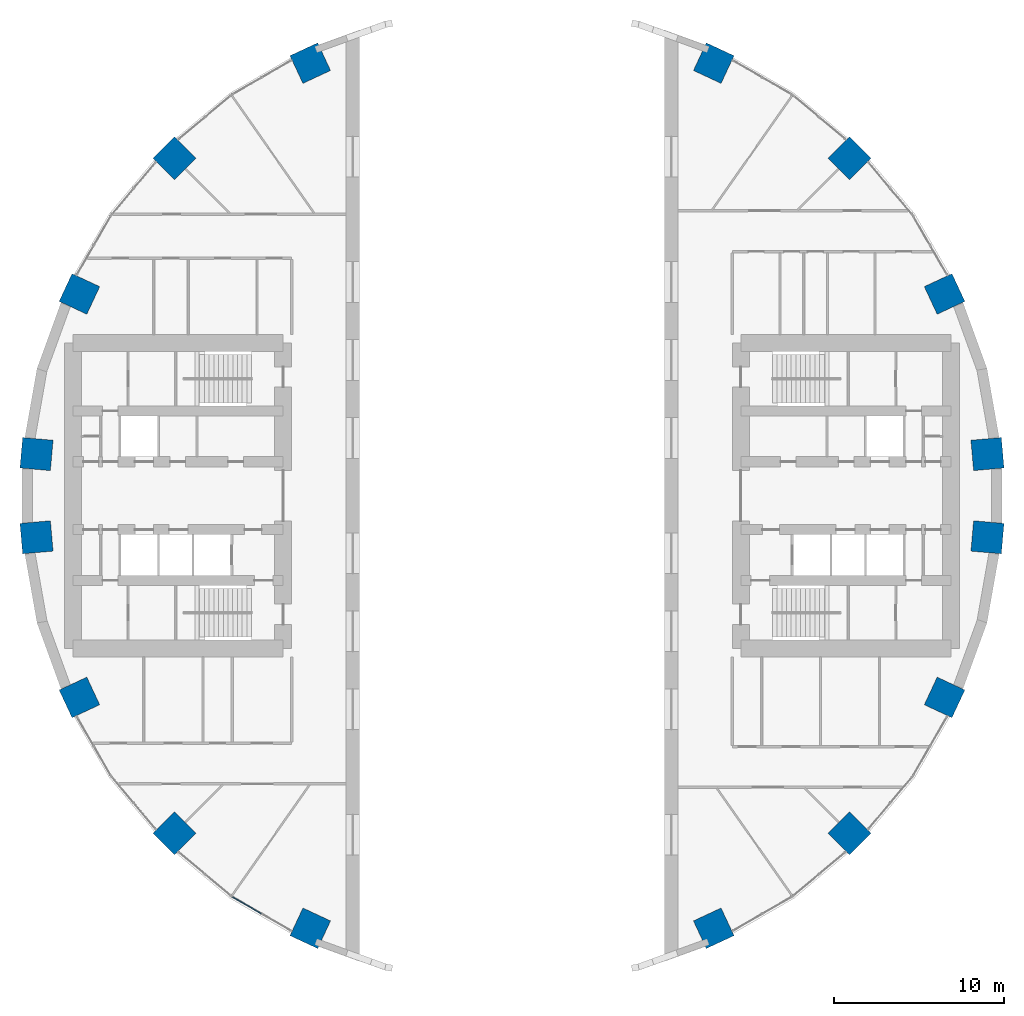
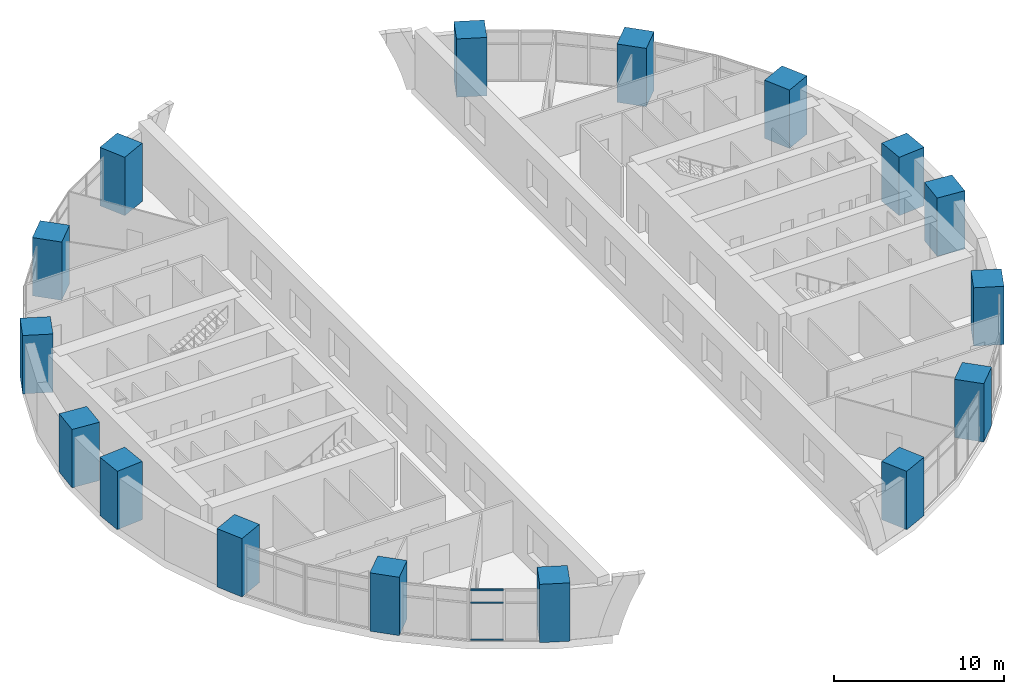
# One storey, part 1 of 13: 16 columns, 3 members, 1 element without a shape of its own.
"""IFC4 building model written with IfcOpenShell, lengths in metres."""

from ifc_helpers import new_model, si_unit, direction, frame, origin, origin_2d, place, context, subcontext, project, spatial, rectangle, extrude, material, layer, layer_set, material_profile, profile_set, type_object, element, aggregate, save


model = new_model("IFC4")

# Units and contexts
model_context = context("Model", 3, precision=1e-05, world=origin(), true_north=direction((0.0, 1.0)))
body_context = subcontext(model_context, "Body", "Model", "MODEL_VIEW")
ifc_project = project(units=[si_unit("LENGTHUNIT", "METRE"), si_unit("AREAUNIT", "SQUARE_METRE"), si_unit("VOLUMEUNIT", "CUBIC_METRE"), si_unit("PLANEANGLEUNIT", "RADIAN"), si_unit("MASSUNIT", "GRAM", prefix="KILO")], contexts=[model_context])

# Site, building, storey
site_placement = place(None, origin())
site = spatial("IfcSite", under=ifc_project, at=site_placement, CompositionType="ELEMENT")
building_placement = place(site_placement, origin())
building = spatial("IfcBuilding", under=site, at=building_placement, Name="Saqina Gate Tower", CompositionType="ELEMENT")
storey_placement = place(building_placement, frame((0.0, 0.0, 9.199951171875)))
storey = spatial("IfcBuildingStorey", under=building, at=storey_placement, Name="L02", CompositionType="ELEMENT", Elevation=9.199951171875)

# Columns
ifc_material_1 = material(Name="Concrete C70/85", Category="concrete")
ifc_material_profile_1 = material_profile(ifc_material_1, rectangle(XDim=1.800048828125, YDim=1.800048828125, at=origin_2d()), Name="RC 1800x1800")
ifc_profile_set_1 = profile_set([ifc_material_profile_1], Name="Concrete C70/85")
column_type = type_object("IfcColumnType", Name="STR-COL-MEGA-P", PredefinedType="COLUMN", material=ifc_profile_set_1)
for number, where, z_axis, x_axis, name in (
    (1, (28.04296875, 2.453369140625, 0.0), (0.0, 0.0, 1.0), (0.996194698092, 0.087155742748, 0.0), "L02-COL01"),
    (2, (25.512451171875, 11.896728515625, 0.0), (0.0, 0.0, 1.0), (0.906307787037, 0.422618261741, 0.0), "L02-COL03"),
    (3, (19.905029296875, 19.905029296875, 0.0), (0.0, 0.0, 1.0), (0.707106781187, 0.707106781187, 0.0), "L02-COL05"),
    (4, (11.896728515625, 25.512451171875, 0.0), (0.0, 0.0, 1.0), (0.422618261741, 0.906307787037, 0.0), "L02-COL07"),
    (5, (-11.896728515625, 25.512451171875, 0.0), (0.0, 0.0, 1.0), (-0.422618261741, 0.906307787037, 0.0), "L02-COL12"),
    (6, (-19.905029296875, 19.905029296875, 0.0), (0.0, 0.0, 1.0), (-0.707106781187, 0.707106781187, 0.0), "L02-COL14"),
    (7, (-25.512451171875, 11.896728515625, 0.0), (0.0, 0.0, 1.0), (-0.906307787037, 0.422618261741, 0.0), "L02-COL16"),
    (8, (-28.04296875, 2.453369140625, 0.0), (0.0, 0.0, 1.0), (-0.996194698092, 0.087155742748, 0.0), "L02-COL18"),
    (9, (-28.04296875, -2.453369140625, 0.0), (0.0, 0.0, 1.0), (-0.996194698092, -0.087155742748, 0.0), "L02-COL19"),
    (10, (-25.512451171875, -11.896728515625, 0.0), (0.0, 0.0, 1.0), (-0.906307787037, -0.422618261741, 0.0), "L02-COL21"),
    (11, (-19.905029296875, -19.905029296875, 0.0), (0.0, 0.0, 1.0), (-0.707106781187, -0.707106781187, 0.0), "L02-COL23"),
    (12, (-11.896728515625, -25.512451171875, 0.0), (0.0, 0.0, 1.0), (-0.422618261741, -0.906307787037, 0.0), "L02-COL25"),
    (13, (11.896728515625, -25.512451171875, 0.0), (0.0, 0.0, 1.0), (0.422618261741, -0.906307787037, 0.0), "L02-COL30"),
    (14, (19.905029296875, -19.905029296875, 0.0), (0.0, 0.0, 1.0), (0.707106781187, -0.707106781187, 0.0), "L02-COL32"),
    (15, (25.512451171875, -11.896728515625, 0.0), (0.0, 0.0, 1.0), (0.906307787037, -0.422618261741, 0.0), "L02-COL34"),
    (16, (28.04296875, -2.453369140625, 0.0), (0.0, 0.0, 1.0), (0.996194698092, -0.087155742748, 0.0), "L02-COL36"),
):
    element("IfcColumn", number, at=place(storey_placement, frame(where, z_axis=z_axis, x_axis=x_axis)), inside=storey, type_object=column_type, Name=name, PredefinedType="COLUMN", context=body_context, shape_type="SweptSolid", body=[
        extrude(rectangle(XDim=1.800048828125, YDim=1.800048828125, at=origin_2d()), origin(), (0.0, 0.0, 1.0), 4.199951171875),
    ])

# Curtain wall, members
ifc_material_2 = material(Name="Aluminium glazing", Category="aluminium")
ifc_layer = layer(ifc_material_2, 0.159912109375)
ifc_layer_set = layer_set([ifc_layer], Name="CWT-1")
curtain_wall_type = type_object("IfcCurtainWallType", Name="CWT-1", PredefinedType="NOTDEFINED", material=ifc_layer_set)
curtain_wall_placement = place(storey_placement, origin())
curtain_wall = element("IfcCurtainWall", 17, at=curtain_wall_placement, inside=storey, type_object=curtain_wall_type, Name="Podium shopfront facet 24", PredefinedType="NOTDEFINED")
ifc_material_3 = material(Name="Aluminium", Category="aluminium")
ifc_material_profile_2 = material_profile(ifc_material_3, rectangle(XDim=0.06005859375, YDim=0.1201171875, at=origin_2d()), Name="Aluminium 60x120")
ifc_profile_set_2 = profile_set([ifc_material_profile_2], Name="Aluminium")
member_type = type_object("IfcMemberType", Name="CWT-1T", PredefinedType="USERDEFINED", material=ifc_profile_set_2)
member_1_placement = place(storey_placement, frame((-16.480712890625, -23.67041015625, 0.030029296875), z_axis=(0.866001600736, -0.500041225824, 0.0), x_axis=(0.500041225824, 0.866001600736, 0.0)))
member_1 = element("IfcMember", 18, at=member_1_placement, type_object=member_type, Name="CW1-24 transom 1.1", ObjectType="TRANSOM", PredefinedType="USERDEFINED", context=body_context, shape_type="SweptSolid", body=[
    extrude(rectangle(XDim=0.06005859375, YDim=0.1201171875, at=origin_2d()), origin(), (0.0, 0.0, 1.0), 1.944580078125),
])
member_2_placement = place(storey_placement, frame((-16.480712890625, -23.67041015625, 2.699951171875), z_axis=(0.866001600736, -0.500041225824, 0.0), x_axis=(0.500041225824, 0.866001600736, 0.0)))
member_2 = element("IfcMember", 19, at=member_2_placement, type_object=member_type, Name="CW1-24 transom 1.2", ObjectType="TRANSOM", PredefinedType="USERDEFINED", context=body_context, shape_type="SweptSolid", body=[
    extrude(rectangle(XDim=0.06005859375, YDim=0.1201171875, at=origin_2d()), origin(), (0.0, 0.0, 1.0), 1.944580078125),
])
member_3_placement = place(storey_placement, frame((-16.480712890625, -23.67041015625, 3.6201171875), z_axis=(0.866001600736, -0.500041225824, 0.0), x_axis=(0.500041225824, 0.866001600736, 0.0)))
member_3 = element("IfcMember", 20, at=member_3_placement, type_object=member_type, Name="CW1-24 transom 1.3", ObjectType="TRANSOM", PredefinedType="USERDEFINED", context=body_context, shape_type="SweptSolid", body=[
    extrude(rectangle(XDim=0.06005859375, YDim=0.1201171875, at=origin_2d()), origin(), (0.0, 0.0, 1.0), 1.944580078125),
])
aggregate(curtain_wall, [member_1, member_2, member_3])

save(model, "model.ifc")
